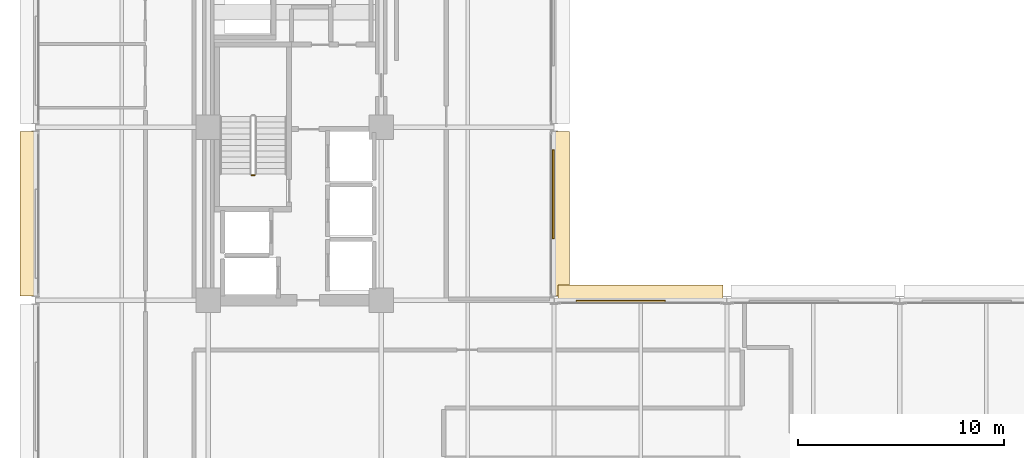
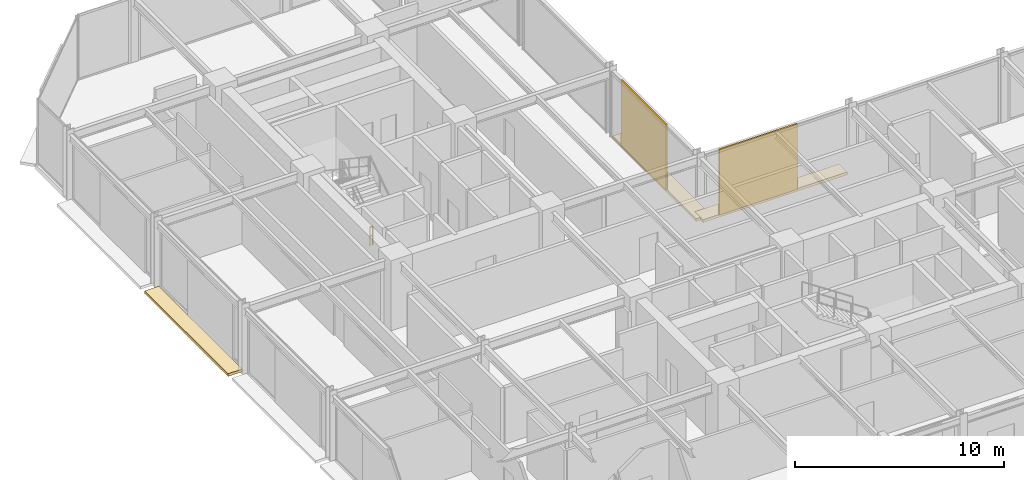
# One storey, part 37 of 39: 5 coverings, 1 railing.
"""IFC4 building model written with IfcOpenShell, lengths in metres."""

from ifc_helpers import new_model, si_unit, direction, frame, origin, origin_2d, place, context, subcontext, project, spatial, polyline, rectangle, circle, outline, extrude, material, layer, layer_set, type_object, element, save


model = new_model("IFC4")

# Units and contexts
model_context = context("Model", 3, precision=1e-05, world=origin(), true_north=direction((0.0, 1.0)))
body_context = subcontext(model_context, "Body", "Model", "MODEL_VIEW")
ifc_project = project(units=[si_unit("LENGTHUNIT", "METRE"), si_unit("AREAUNIT", "SQUARE_METRE"), si_unit("VOLUMEUNIT", "CUBIC_METRE"), si_unit("PLANEANGLEUNIT", "RADIAN"), si_unit("MASSUNIT", "GRAM", prefix="KILO")], contexts=[model_context])

# Site, building, storey
site_placement = place(None, origin())
site = spatial("IfcSite", under=ifc_project, at=site_placement, CompositionType="ELEMENT")
building_placement = place(site_placement, origin())
building = spatial("IfcBuilding", under=site, at=building_placement, Name="Nerrivon Quay Data Exchange", CompositionType="ELEMENT")
storey_placement = place(building_placement, frame((0.0, 0.0, 104.89990234375)))
storey = spatial("IfcBuildingStorey", under=building, at=storey_placement, Name="L24", CompositionType="ELEMENT", Elevation=104.89990234375)

# Coverings
ifc_material_1 = material(Name="Architectural terracotta ceramic", Category="masonry")
ifc_layer_1 = layer(ifc_material_1, 0.159912109375)
ifc_layer_set_1 = layer_set([ifc_layer_1], Name="Architectural terracotta ceramic")
covering_type_1 = type_object("IfcCoveringType", Name="COV-BLD-TERR", PredefinedType="CLADDING", material=ifc_layer_set_1)
covering_1_placement = place(storey_placement, frame((0.0, 0.0, -0.159912109375)))
element("IfcCovering", 1, at=covering_1_placement, inside=storey, type_object=covering_type_1, Name="L24 Horizontal Terracotta SOLAR SCREEN Blade", PredefinedType="CLADDING", context=body_context, shape_type="SweptSolid", body=[
    extrude(outline(polyline([(0.0400390625, 25.39990234375), (0.0400390625, 33.39990234375), (-0.75, 33.39990234375), (-0.75, 25.39990234375), (0.0400390625, 25.39990234375)])), origin(), (0.0, 0.0, 1.0), 0.159912109375),
])
covering_2_placement = place(storey_placement, frame((0.0, 0.0, -0.159912109375)))
element("IfcCovering", 2, at=covering_2_placement, inside=storey, type_object=covering_type_1, Name="L24 Horizontal Terracotta SOLAR SCREEN Blade", PredefinedType="CLADDING", context=body_context, shape_type="SweptSolid", body=[
    extrude(outline(polyline([(25.159912109375, 33.39990234375), (25.159912109375, 25.39990234375), (25.949951171875, 25.39990234375), (25.949951171875, 33.39990234375), (25.159912109375, 33.39990234375)])), origin(), (0.0, 0.0, 1.0), 0.159912109375),
])
covering_3_placement = place(storey_placement, frame((0.0, 0.0, -0.159912109375)))
element("IfcCovering", 3, at=covering_3_placement, inside=storey, type_object=covering_type_1, Name="L24 Horizontal Terracotta SOLAR SCREEN Blade", PredefinedType="CLADDING", context=body_context, shape_type="SweptSolid", body=[
    extrude(outline(polyline([(25.39990234375, 25.159912109375), (33.39990234375, 25.159912109375), (33.39990234375, 25.949951171875), (25.39990234375, 25.949951171875), (25.39990234375, 25.159912109375)])), origin(), (0.0, 0.0, 1.0), 0.159912109375),
])
ifc_layer_2 = layer(ifc_material_1, 0.090087890625)
ifc_layer_set_2 = layer_set([ifc_layer_2], Name="Architectural terracotta ceramic")
covering_type_2 = type_object("IfcCoveringType", Name="COV-SCR-TERR", PredefinedType="CLADDING", material=ifc_layer_set_2)
for number, where, z_axis, x_axis, name in (
    (4, (25.155029296875, 30.360107421875, 0.0), (0.0, 0.0, 1.0), (0.0, -1.0, 0.0), "L24 Perforated Terracotta SOLAR SCREEN Cassette"),
    (5, (28.43994140625, 25.155029296875, 0.0), (0.0, 0.0, 1.0), (1.0, 0.0, 0.0), "L24 Perforated Terracotta SOLAR SCREEN Cassette"),
):
    element("IfcCovering", number, at=place(storey_placement, frame(where, z_axis=z_axis, x_axis=x_axis)), inside=storey, type_object=covering_type_2, Name=name, PredefinedType="CLADDING", context=body_context, shape_type="SweptSolid", body=[
        extrude(rectangle(XDim=4.320068359375, YDim=0.090087890625, at=origin_2d()), origin(), (0.0, 0.0, 1.0), 3.824951171875),
    ])

# Railing
ifc_material_2 = material(Name="Steel Grade C350L0 (350 MPa)", Category="steel")
railing_type = type_object("IfcRailingType", Name="RAIL-STAIR-GR1", PredefinedType="BALUSTRADE", material=ifc_material_2)
railing_placement = place(storey_placement, frame((10.64990234375, 31.280029296875, 0.0)))
element("IfcRailing", 6, at=railing_placement, inside=storey, type_object=railing_type, Name="L24 ST01 stair guard 4", PredefinedType="BALUSTRADE", context=body_context, shape_type="SweptSolid", body=[
    extrude(circle(Radius=0.02392578125, at=origin_2d()), frame((0.0, 0.0, 1.076171875), z_axis=(-1.0, 0.0, 0.0), x_axis=(0.0, -1.0, 0.0)), (0.0, 0.0, 1.0), 0.14990234375),
    extrude(circle(Radius=0.02392578125, at=origin_2d()), frame((0.0, 0.0, 0.550048828125), z_axis=(-1.0, 0.0, 0.0), x_axis=(0.0, -1.0, 0.0)), (0.0, 0.0, 1.0), 0.14990234375),
    extrude(circle(Radius=0.02099609375, at=origin_2d()), origin(), (0.0, 0.0, 1.0), 1.052001953125),
    extrude(circle(Radius=0.02099609375, at=origin_2d()), frame((-0.14990234375, 0.0, 0.0)), (0.0, 0.0, 1.0), 1.052001953125),
])

save(model, "model.ifc")
